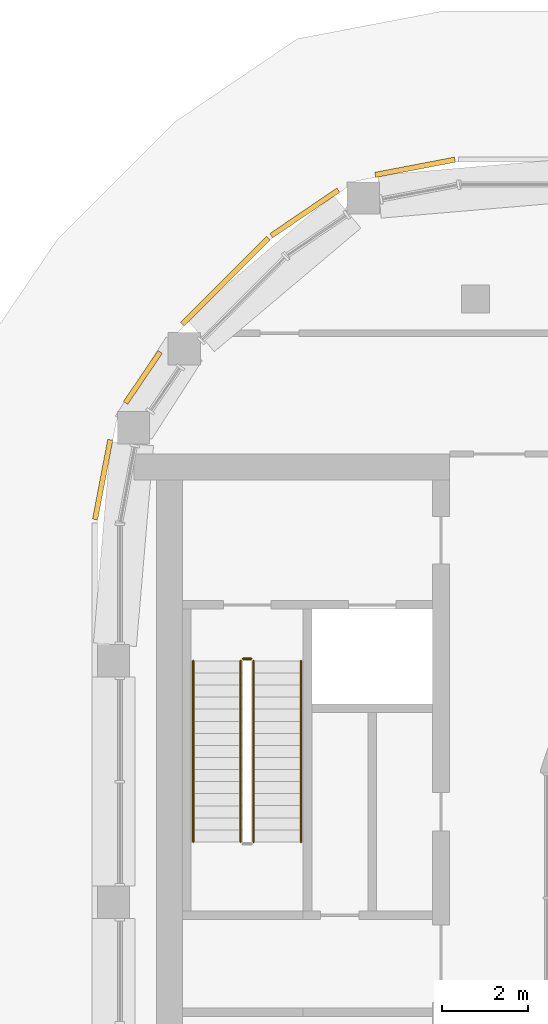
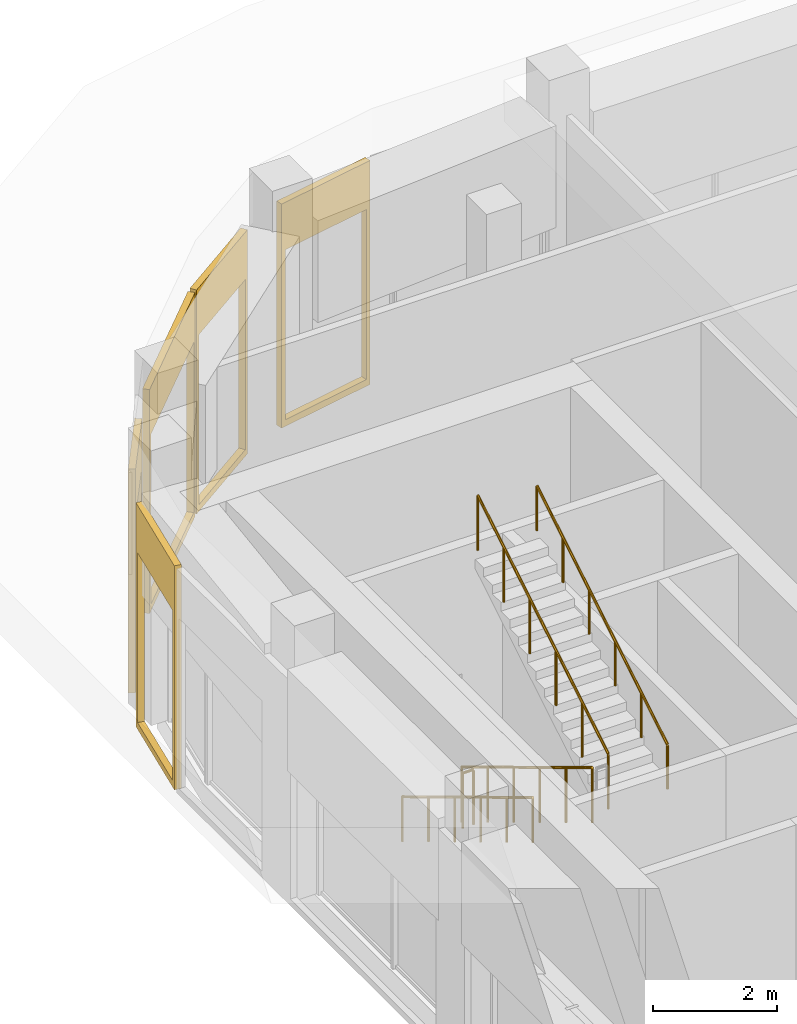
# One storey, part 21 of 23: 5 coverings, 5 railings.
"""IFC4 building model written with IfcOpenShell, lengths in metres."""

from ifc_helpers import new_model, si_unit, direction, frame, origin, origin_2d, place, context, subcontext, project, spatial, polyline, circle, outline, extrude, material, layer, layer_set, type_object, element, save


model = new_model("IFC4")

# Units and contexts
model_context = context("Model", 3, precision=1e-05, world=origin(), true_north=direction((0.0, 1.0)))
body_context = subcontext(model_context, "Body", "Model", "MODEL_VIEW")
ifc_project = project(units=[si_unit("LENGTHUNIT", "METRE"), si_unit("AREAUNIT", "SQUARE_METRE"), si_unit("VOLUMEUNIT", "CUBIC_METRE"), si_unit("PLANEANGLEUNIT", "RADIAN"), si_unit("MASSUNIT", "GRAM", prefix="KILO")], contexts=[model_context])

# Site, building, storey
site_placement = place(None, origin())
site = spatial("IfcSite", under=ifc_project, at=site_placement, CompositionType="ELEMENT")
building_placement = place(site_placement, origin())
building = spatial("IfcBuilding", under=site, at=building_placement, Name="Kiln Ring Residences", CompositionType="ELEMENT")
storey_placement = place(building_placement, frame((0.0, 0.0, 294.5)))
storey = spatial("IfcBuildingStorey", under=building, at=storey_placement, Name="L76", CompositionType="ELEMENT", Elevation=294.5)

# Railings
ifc_material_1 = material(Name="Stainless steel", Category="steel")
railing_type_1 = type_object("IfcRailingType", Name="CORE-STAIR-GUARD", PredefinedType="GUARDRAIL", material=ifc_material_1)
railing_1_placement = place(storey_placement, frame((-22.25, 8.39990234375, 0.168701171875)))
element("IfcRailing", 1, at=railing_1_placement, inside=storey, type_object=railing_type_1, Name="L76 W-STN stair guard 1", PredefinedType="GUARDRAIL", context=body_context, shape_type="SweptSolid", body=[
    extrude(circle(Radius=0.02392578125, at=origin_2d()), frame((0.0, 0.0, 1.076171875), z_axis=(0.0, -0.856476492594, 0.516186030065), x_axis=(1.0, 0.0, 0.0)), (0.0, 0.0, 1.0), 4.90380859375),
    extrude(circle(Radius=0.02099609375, at=origin_2d()), origin(), (0.0, 0.0, 1.0), 1.052001953125),
    extrude(circle(Radius=0.02099609375, at=origin_2d()), frame((0.0, -0.840087890625, 0.50634765625)), (0.0, 0.0, 1.0), 1.052001953125),
    extrude(circle(Radius=0.02099609375, at=origin_2d()), frame((0.0, -1.679931640625, 1.012451171875)), (0.0, 0.0, 1.0), 1.052001953125),
    extrude(circle(Radius=0.02099609375, at=origin_2d()), frame((0.0, -2.52001953125, 1.518798828125)), (0.0, 0.0, 1.0), 1.052001953125),
    extrude(circle(Radius=0.02099609375, at=origin_2d()), frame((0.0, -3.35986328125, 2.02490234375)), (0.0, 0.0, 1.0), 1.052001953125),
    extrude(circle(Radius=0.02099609375, at=origin_2d()), frame((0.0, -4.199951171875, 2.53125)), (0.0, 0.0, 1.0), 1.052001953125),
])
railing_2_placement = place(storey_placement, frame((-21.949951171875, 4.199951171875, 2.86865234375)))
element("IfcRailing", 2, at=railing_2_placement, inside=storey, type_object=railing_type_1, Name="L76 W-STN stair guard 3", PredefinedType="GUARDRAIL", context=body_context, shape_type="SweptSolid", body=[
    extrude(circle(Radius=0.02392578125, at=origin_2d()), frame((0.0, 0.0, 1.076171875), z_axis=(0.0, 0.856476492594, 0.516186030065), x_axis=(-1.0, 0.0, 0.0)), (0.0, 0.0, 1.0), 4.90380859375),
    extrude(circle(Radius=0.02099609375, at=origin_2d()), origin(), (0.0, 0.0, 1.0), 1.052001953125),
    extrude(circle(Radius=0.02099609375, at=origin_2d()), frame((0.0, 0.840087890625, 0.50634765625)), (0.0, 0.0, 1.0), 1.052001953125),
    extrude(circle(Radius=0.02099609375, at=origin_2d()), frame((0.0, 1.679931640625, 1.012451171875)), (0.0, 0.0, 1.0), 1.052001953125),
    extrude(circle(Radius=0.02099609375, at=origin_2d()), frame((0.0, 2.52001953125, 1.518798828125)), (0.0, 0.0, 1.0), 1.052001953125),
    extrude(circle(Radius=0.02099609375, at=origin_2d()), frame((0.0, 3.35986328125, 2.02490234375)), (0.0, 0.0, 1.0), 1.052001953125),
    extrude(circle(Radius=0.02099609375, at=origin_2d()), frame((0.0, 4.199951171875, 2.53125)), (0.0, 0.0, 1.0), 1.052001953125),
])
railing_3_placement = place(storey_placement, frame((-22.199951171875, 8.449951171875, 0.0)))
element("IfcRailing", 3, at=railing_3_placement, inside=storey, type_object=railing_type_1, Name="L76 W-STN stair guard 4", PredefinedType="GUARDRAIL", context=body_context, shape_type="SweptSolid", body=[
    extrude(circle(Radius=0.02392578125, at=origin_2d()), frame((0.0, 0.0, 1.076171875), z_axis=(1.0, 0.0, 0.0), x_axis=(0.0, 1.0, 0.0)), (0.0, 0.0, 1.0), 0.199951171875),
    extrude(circle(Radius=0.02099609375, at=origin_2d()), origin(), (0.0, 0.0, 1.0), 1.052001953125),
    extrude(circle(Radius=0.02099609375, at=origin_2d()), frame((0.199951171875, 0.0, 0.0)), (0.0, 0.0, 1.0), 1.052001953125),
])
ifc_material_2 = material(Name="Stainless steel", Category="steel")
railing_type_2 = type_object("IfcRailingType", Name="CORE-STAIR-HANDRAIL", PredefinedType="HANDRAIL", material=ifc_material_2)
railing_4_placement = place(storey_placement, frame((-23.35009765625, 8.39990234375, 0.168701171875)))
element("IfcRailing", 4, at=railing_4_placement, inside=storey, type_object=railing_type_2, Name="L76 W-STN stair handrail 1", PredefinedType="HANDRAIL", context=body_context, shape_type="SweptSolid", body=[
    extrude(circle(Radius=0.02392578125, at=origin_2d()), frame((0.0, 0.0, 0.8759765625), z_axis=(0.0, -0.856476492594, 0.516186030065), x_axis=(1.0, 0.0, 0.0)), (0.0, 0.0, 1.0), 4.90380859375),
    extrude(circle(Radius=0.02099609375, at=origin_2d()), origin(), (0.0, 0.0, 1.0), 0.851806640625),
    extrude(circle(Radius=0.02099609375, at=origin_2d()), frame((0.0, -0.840087890625, 0.50634765625)), (0.0, 0.0, 1.0), 0.851806640625),
    extrude(circle(Radius=0.02099609375, at=origin_2d()), frame((0.0, -1.679931640625, 1.012451171875)), (0.0, 0.0, 1.0), 0.851806640625),
    extrude(circle(Radius=0.02099609375, at=origin_2d()), frame((0.0, -2.52001953125, 1.518798828125)), (0.0, 0.0, 1.0), 0.851806640625),
    extrude(circle(Radius=0.02099609375, at=origin_2d()), frame((0.0, -3.35986328125, 2.02490234375)), (0.0, 0.0, 1.0), 0.851806640625),
    extrude(circle(Radius=0.02099609375, at=origin_2d()), frame((0.0, -4.199951171875, 2.53125)), (0.0, 0.0, 1.0), 0.851806640625),
])
railing_5_placement = place(storey_placement, frame((-20.85009765625, 4.199951171875, 2.86865234375)))
element("IfcRailing", 5, at=railing_5_placement, inside=storey, type_object=railing_type_2, Name="L76 W-STN stair handrail 2", PredefinedType="HANDRAIL", context=body_context, shape_type="SweptSolid", body=[
    extrude(circle(Radius=0.02392578125, at=origin_2d()), frame((0.0, 0.0, 0.8759765625), z_axis=(0.0, 0.856476492594, 0.516186030065), x_axis=(-1.0, 0.0, 0.0)), (0.0, 0.0, 1.0), 4.90380859375),
    extrude(circle(Radius=0.02099609375, at=origin_2d()), origin(), (0.0, 0.0, 1.0), 0.851806640625),
    extrude(circle(Radius=0.02099609375, at=origin_2d()), frame((0.0, 0.840087890625, 0.50634765625)), (0.0, 0.0, 1.0), 0.851806640625),
    extrude(circle(Radius=0.02099609375, at=origin_2d()), frame((0.0, 1.679931640625, 1.012451171875)), (0.0, 0.0, 1.0), 0.851806640625),
    extrude(circle(Radius=0.02099609375, at=origin_2d()), frame((0.0, 2.52001953125, 1.518798828125)), (0.0, 0.0, 1.0), 0.851806640625),
    extrude(circle(Radius=0.02099609375, at=origin_2d()), frame((0.0, 3.35986328125, 2.02490234375)), (0.0, 0.0, 1.0), 0.851806640625),
    extrude(circle(Radius=0.02099609375, at=origin_2d()), frame((0.0, 4.199951171875, 2.53125)), (0.0, 0.0, 1.0), 0.851806640625),
])

# Coverings
ifc_material_3 = material(Name="Brick masonry, dark clay brick", Category="masonry")
ifc_layer = layer(ifc_material_3, 0.1201171875)
ifc_layer_set = layer_set([ifc_layer], Name="RAINSCREEN PANEL 120")
covering_type = type_object("IfcCoveringType", Name="RAINSCREEN PANEL 120", PredefinedType="CLADDING", material=ifc_layer_set)
for number, where, z_axis, x_axis, name in (
    (6, (-17.281494140625, 20.02734375, 0.0), (0.0, 0.0, 1.0), (-0.982284001233, -0.187398348234, 0.0), "RAINSCREEN L76"),
    (7, (-19.98583984375, 19.320068359375, 0.0), (0.0, 0.0, 1.0), (-0.82704477487, -0.562136051469, 0.0), "RAINSCREEN L76"),
):
    element("IfcCovering", number, at=place(storey_placement, frame(where, z_axis=z_axis, x_axis=x_axis)), inside=storey, type_object=covering_type, Name=name, PredefinedType="CLADDING", context=body_context, shape_type="SweptSolid", body=[
        extrude(outline(polyline([(0.0, 0.0), (1.881103515625, 0.0), (1.881103515625, 4.39990234375), (0.0, 4.39990234375), (0.0, 0.0)]), holes=[polyline([(0.080078125, 3.469970703125), (0.080078125, 0.1298828125), (1.801025390625, 0.1298828125), (1.801025390625, 3.469970703125), (0.080078125, 3.469970703125)])]), frame((0.0, 0.06005859375, 0.0), z_axis=(0.0, -1.0, 0.0), x_axis=(1.0, 0.0, 0.0)), (0.0, 0.0, 1.0), 0.1201171875),
    ])
covering_1_placement = place(storey_placement, frame((-21.604736328125, 18.21044921875, 0.0), z_axis=(0.0, 0.0, 1.0), x_axis=(-0.707106781187, -0.707106781187, 0.0)))
element("IfcCovering", 8, at=covering_1_placement, inside=storey, type_object=covering_type, Name="RAINSCREEN L76", PredefinedType="CLADDING", context=body_context, shape_type="SweptSolid", body=[
    extrude(outline(polyline([(0.0, 0.0), (2.824951171875, 0.0), (2.824951171875, 4.39990234375), (0.0, 4.39990234375), (0.0, 0.0)]), holes=[polyline([(0.080078125, 3.469970703125), (0.080078125, 0.1298828125), (2.7451171875, 0.1298828125), (2.7451171875, 3.469970703125), (0.080078125, 3.469970703125)])]), frame((0.0, 0.06005859375, 0.0), z_axis=(0.0, -1.0, 0.0), x_axis=(1.0, 0.0, 0.0)), (0.0, 0.0, 1.0), 0.1201171875),
])
covering_2_placement = place(storey_placement, frame((-24.117919921875, 15.566162109375, 0.0), z_axis=(0.0, 0.0, 1.0), x_axis=(-0.562099454787, -0.827069648173, 0.0)))
element("IfcCovering", 9, at=covering_2_placement, inside=storey, type_object=covering_type, Name="RAINSCREEN L76", PredefinedType="CLADDING", context=body_context, shape_type="SweptSolid", body=[
    extrude(outline(polyline([(0.0, 0.0), (1.427001953125, 0.0), (1.427001953125, 4.39990234375), (0.0, 4.39990234375), (0.0, 0.0)]), holes=[polyline([(0.080078125, 3.469970703125), (0.080078125, 0.1298828125), (1.34716796875, 0.1298828125), (1.34716796875, 3.469970703125), (0.080078125, 3.469970703125)])]), frame((0.0, 0.06005859375, 0.0), z_axis=(0.0, -1.0, 0.0), x_axis=(1.0, 0.0, 0.0)), (0.0, 0.0, 1.0), 0.1201171875),
])
covering_3_placement = place(storey_placement, frame((-25.27490234375, 13.529296875, 0.0), z_axis=(0.0, 0.0, 1.0), x_axis=(-0.187273123953, -0.982307883021, 0.0)))
element("IfcCovering", 10, at=covering_3_placement, inside=storey, type_object=covering_type, Name="RAINSCREEN L76", PredefinedType="CLADDING", context=body_context, shape_type="SweptSolid", body=[
    extrude(outline(polyline([(0.0, 0.0), (1.881103515625, 0.0), (1.881103515625, 4.39990234375), (0.0, 4.39990234375), (0.0, 0.0)]), holes=[polyline([(0.080078125, 3.469970703125), (0.080078125, 0.1298828125), (1.801025390625, 0.1298828125), (1.801025390625, 3.469970703125), (0.080078125, 3.469970703125)])]), frame((0.0, 0.06005859375, 0.0), z_axis=(0.0, -1.0, 0.0), x_axis=(1.0, 0.0, 0.0)), (0.0, 0.0, 1.0), 0.1201171875),
])

save(model, "model.ifc")
